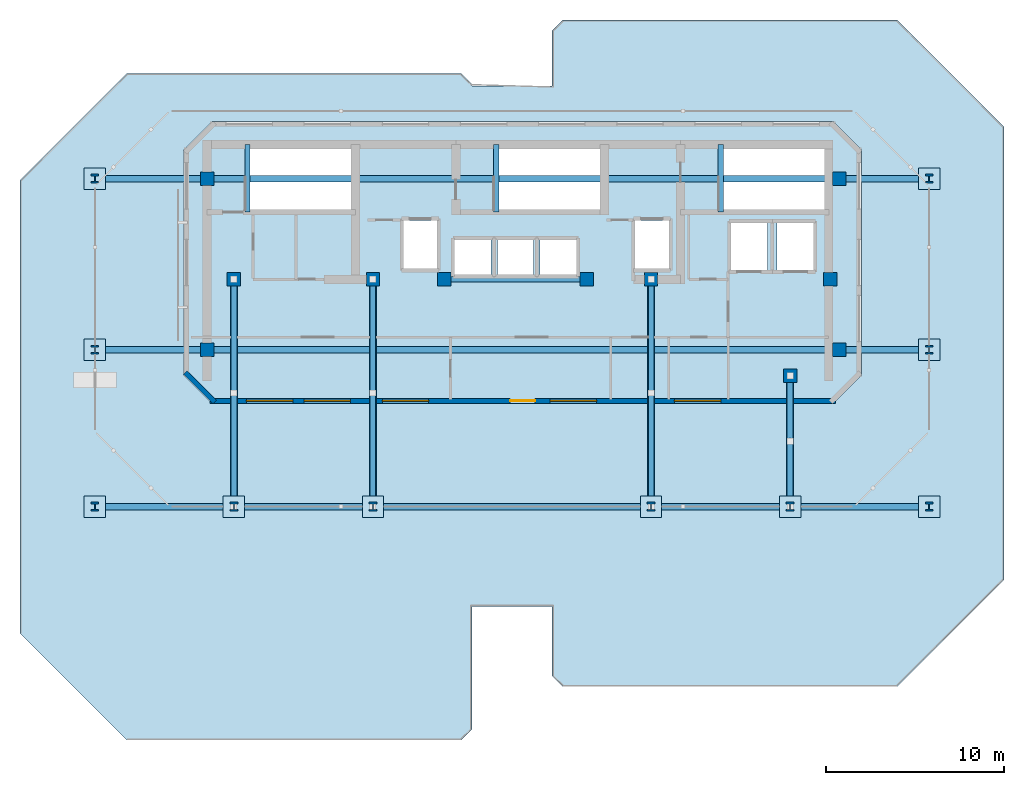
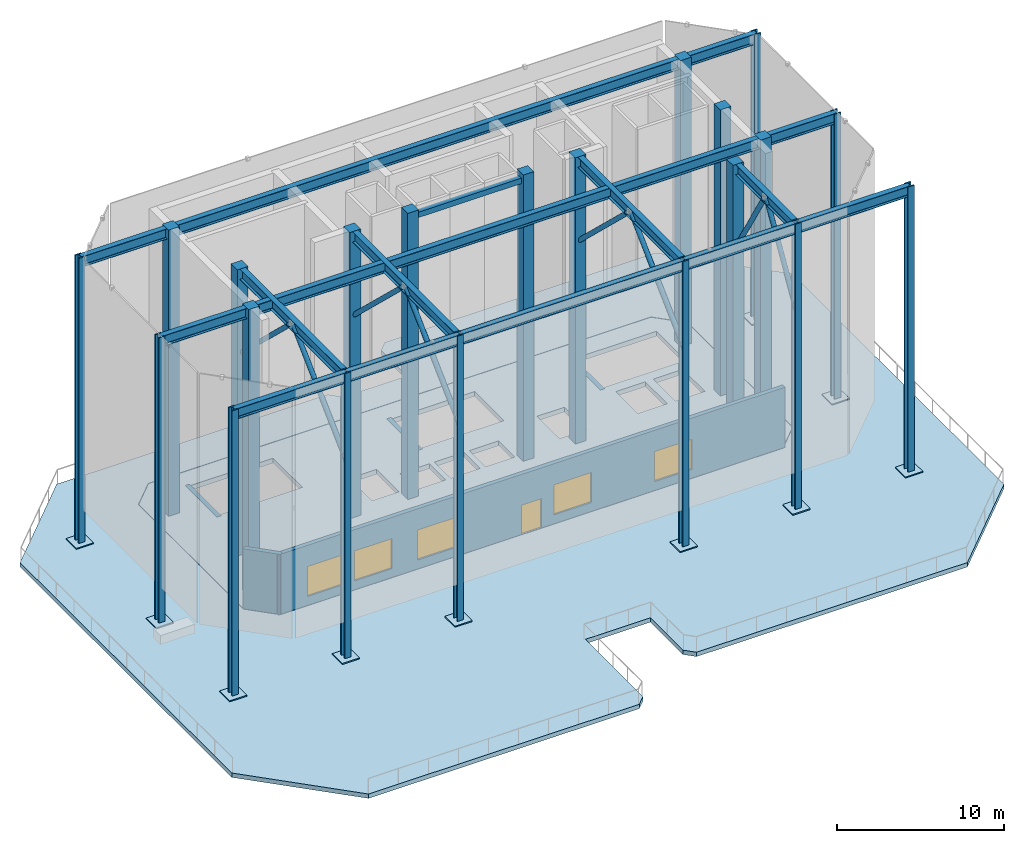
# One storey, part 1 of 5: 21 columns, 15 beams, 10 plates, 8 members, 5 windows, 2 slabs, 2 walls, 1 door, 6 openings.
"""IFC4 building model written with IfcOpenShell, lengths in metres."""

from ifc_helpers import new_model, si_unit, direction, frame, frame_2d, origin, origin_2d, place, context, subcontext, project, spatial, polyline, rectangle, hollow_circle, i_section, outline, extrude, material, layer, layer_set, material_profile, profile_set, type_object, element, fill, save


model = new_model("IFC4")

# Units and contexts
model_context = context("Model", 3, precision=1e-05, world=origin(), true_north=direction((0.0, 1.0)))
body_context = subcontext(model_context, "Body", "Model", "MODEL_VIEW")
ifc_project = project(units=[si_unit("LENGTHUNIT", "METRE"), si_unit("AREAUNIT", "SQUARE_METRE"), si_unit("VOLUMEUNIT", "CUBIC_METRE"), si_unit("PLANEANGLEUNIT", "RADIAN"), si_unit("MASSUNIT", "GRAM", prefix="KILO")], contexts=[model_context])

# Site, building, storey
site_placement = place(None, origin())
site = spatial("IfcSite", under=ifc_project, at=site_placement, CompositionType="ELEMENT")
building_placement = place(site_placement, origin())
building = spatial("IfcBuilding", under=site, at=building_placement, Name="Kestravale Grand Hotel", CompositionType="ELEMENT")
storey_placement = place(building_placement, frame((0.0, 0.0, 311.39990234375)))
storey = spatial("IfcBuildingStorey", under=building, at=storey_placement, Name="Roof", CompositionType="ELEMENT", Elevation=311.39990234375)

# Columns
ifc_material_1 = material(Name="Concrete f'c 50 MPa", Category="concrete")
ifc_material_profile_1 = material_profile(ifc_material_1, rectangle(XDim=0.75, YDim=0.75, at=origin_2d()))
ifc_profile_set_1 = profile_set([ifc_material_profile_1], Name="Concrete f'c 50 MPa")
column_type_1 = type_object("IfcColumnType", Name="C-Z4-750", PredefinedType="COLUMN", material=ifc_profile_set_1)
for number, where, z_axis, x_axis, name in (
    (1, (21.89990234375, 28.800048828125, 0.0), (0.0, 0.0, 1.0), (1.0, 0.0, 0.0), "Roof column CW-E"),
    (2, (21.89990234375, 38.39990234375, 0.0), (0.0, 0.0, 1.0), (1.0, 0.0, 0.0), "Roof column CW-F"),
    (3, (57.35009765625, 28.800048828125, 0.0), (0.0, 0.0, 1.0), (1.0, 0.0, 0.0), "Roof column CE-E"),
    (4, (57.35009765625, 38.39990234375, 0.0), (0.0, 0.0, 1.0), (1.0, 0.0, 0.0), "Roof column CE-F"),
    (5, (23.39990234375, 32.75, 0.0), (0.0, 0.0, 1.0), (1.0, 0.0, 0.0), "Roof column 4-CS"),
    (6, (31.199951171875, 32.75, 0.0), (0.0, 0.0, 1.0), (1.0, 0.0, 0.0), "Roof column 5-CS"),
    (7, (35.199951171875, 32.75, 0.0), (0.0, 0.0, 1.0), (1.0, 0.0, 0.0), "Roof column 6C-CS"),
    (8, (43.199951171875, 32.75, 0.0), (0.0, 0.0, 1.0), (1.0, 0.0, 0.0), "Roof column 7C-CS"),
    (9, (46.800048828125, 32.75, 0.0), (0.0, 0.0, 1.0), (1.0, 0.0, 0.0), "Roof column 8-CS"),
    (10, (54.60009765625, 27.35009765625, 0.0), (0.0, 0.0, 1.0), (1.0, 0.0, 0.0), "Roof column 9-CS"),
    (11, (56.85009765625, 32.75, 0.0), (0.0, 0.0, 1.0), (1.0, 0.0, 0.0), "Roof column 9C-CS"),
):
    element("IfcColumn", number, at=place(storey_placement, frame(where, z_axis=z_axis, x_axis=x_axis)), inside=storey, type_object=column_type_1, Name=name, PredefinedType="COLUMN", context=body_context, shape_type="SweptSolid", body=[
        extrude(rectangle(XDim=0.75, YDim=0.75, at=origin_2d()), origin(), (0.0, 0.0, 1.0), 20.9501953125),
    ])
ifc_material_2 = material(Name="Steel ASTM A992 Grade 50", Category="steel")
ifc_material_profile_2 = material_profile(ifc_material_2, i_section(OverallWidth=0.431884765625, OverallDepth=0.498046875, WebThickness=0.0556640625, FlangeThickness=0.0888671875, FilletRadius=0.01708984375, at=origin_2d()))
ifc_profile_set_2 = profile_set([ifc_material_profile_2], Name="Steel ASTM A992 Grade 50")
column_type_2 = type_object("IfcColumnType", Name="C-Z4-W14X500", PredefinedType="COLUMN", material=ifc_profile_set_2)
for number, where, z_axis, x_axis, name in (
    (12, (15.60009765625, 20.0, 0.0), (0.0, 0.0, 1.0), (1.0, 0.0, 0.0), "Crown sky-garden canopy column 3-D"),
    (13, (23.39990234375, 20.0, 0.0), (0.0, 0.0, 1.0), (1.0, 0.0, 0.0), "Crown sky-garden canopy column 4-D"),
    (14, (31.199951171875, 20.0, 0.0), (0.0, 0.0, 1.0), (1.0, 0.0, 0.0), "Crown sky-garden canopy column 5-D"),
    (15, (46.800048828125, 20.0, 0.0), (0.0, 0.0, 1.0), (1.0, 0.0, 0.0), "Crown sky-garden canopy column 8-D"),
    (16, (54.60009765625, 20.0, 0.0), (0.0, 0.0, 1.0), (1.0, 0.0, 0.0), "Crown sky-garden canopy column 9-D"),
    (17, (62.39990234375, 20.0, 0.0), (0.0, 0.0, 1.0), (1.0, 0.0, 0.0), "Crown sky-garden canopy column 10-D"),
    (18, (15.60009765625, 28.800048828125, 0.0), (0.0, 0.0, 1.0), (1.0, 0.0, 0.0), "Crown sky-garden canopy column 3-E"),
    (19, (62.39990234375, 28.800048828125, 0.0), (0.0, 0.0, 1.0), (1.0, 0.0, 0.0), "Crown sky-garden canopy column 10-E"),
    (20, (15.60009765625, 38.39990234375, 0.0), (0.0, 0.0, 1.0), (1.0, 0.0, 0.0), "Crown sky-garden canopy column 3-F"),
    (21, (62.39990234375, 38.39990234375, 0.0), (0.0, 0.0, 1.0), (1.0, 0.0, 0.0), "Crown sky-garden canopy column 10-F"),
):
    element("IfcColumn", number, at=place(storey_placement, frame(where, z_axis=z_axis, x_axis=x_axis)), inside=storey, type_object=column_type_2, Name=name, PredefinedType="COLUMN", context=body_context, shape_type="SweptSolid", body=[
        extrude(i_section(OverallWidth=0.431884765625, OverallDepth=0.498046875, WebThickness=0.0556640625, FlangeThickness=0.0888671875, FilletRadius=0.01708984375, at=origin_2d()), origin(), (0.0, 0.0, 1.0), 20.9501953125),
    ])

# Beams
ifc_material_3 = material(Name="Concrete f'c 45 MPa", Category="concrete")
ifc_material_profile_3 = material_profile(ifc_material_3, rectangle(XDim=0.300048828125, YDim=0.39990234375, at=origin_2d()))
ifc_profile_set_3 = profile_set([ifc_material_profile_3], Name="Concrete f'c 45 MPa")
beam_type_1 = type_object("IfcBeamType", Name="B-FLR-LNT400", PredefinedType="LINTEL", material=ifc_profile_set_3)
beam_1_placement = place(storey_placement, frame((35.199951171875, 32.75, 20.400146484375), z_axis=(1.0, 0.0, 0.0), x_axis=(0.0, 1.0, 0.0)))
element("IfcBeam", 22, at=beam_1_placement, inside=storey, type_object=beam_type_1, Name="Roof core portal header lintel", PredefinedType="LINTEL", context=body_context, shape_type="SweptSolid", body=[
    extrude(rectangle(XDim=0.300048828125, YDim=0.39990234375, at=origin_2d()), origin(), (0.0, 0.0, 1.0), 8.0),
])
for number, where, z_axis, x_axis, name in (
    (23, (24.159912109375, 36.52001953125, -0.199951171875), (0.0, 1.0, 0.0), (-1.0, 0.0, 0.0), "Roof ST1 flight bottom header beam"),
    (24, (38.110107421875, 36.52001953125, -0.199951171875), (0.0, 1.0, 0.0), (-1.0, 0.0, 0.0), "Roof ST2 flight bottom header beam"),
    (25, (50.7099609375, 36.52001953125, -0.199951171875), (0.0, 1.0, 0.0), (-1.0, 0.0, 0.0), "Roof ST3 flight bottom header beam"),
):
    element("IfcBeam", number, at=place(storey_placement, frame(where, z_axis=z_axis, x_axis=x_axis)), inside=storey, type_object=beam_type_1, Name=name, PredefinedType="LINTEL", context=body_context, shape_type="SweptSolid", body=[
        extrude(rectangle(XDim=0.300048828125, YDim=0.39990234375, at=origin_2d()), origin(), (0.0, 0.0, 1.0), 3.800048828125),
    ])
ifc_material_4 = material(Name="Steel ASTM A992 Grade 50", Category="steel")
ifc_material_profile_4 = material_profile(ifc_material_4, i_section(OverallWidth=0.381103515625, OverallDepth=0.77197265625, WebThickness=0.0166015625, FlangeThickness=0.027099609375, FilletRadius=0.023681640625, at=origin_2d()))
ifc_profile_set_4 = profile_set([ifc_material_profile_4], Name="Steel ASTM A992 Grade 50")
beam_type_2 = type_object("IfcBeamType", Name="B-GRD-W30", PredefinedType="BEAM", material=ifc_profile_set_4)
beam_2_placement = place(storey_placement, frame((15.60009765625, 20.0, 20.564208984375), z_axis=(1.0, 0.0, 0.0), x_axis=(0.0, 1.0, 0.0)))
element("IfcBeam", 26, at=beam_2_placement, inside=storey, type_object=beam_type_2, Name="Crown canopy ring girder D:3-4", PredefinedType="BEAM", context=body_context, shape_type="SweptSolid", body=[
    extrude(i_section(OverallWidth=0.381103515625, OverallDepth=0.77197265625, WebThickness=0.0166015625, FlangeThickness=0.027099609375, FilletRadius=0.023681640625, at=origin_2d()), origin(), (0.0, 0.0, 1.0), 7.7998046875),
])
beam_3_placement = place(storey_placement, frame((23.39990234375, 20.0, 20.564208984375), z_axis=(1.0, 0.0, 0.0), x_axis=(0.0, 1.0, 0.0)))
element("IfcBeam", 27, at=beam_3_placement, inside=storey, type_object=beam_type_2, Name="Crown canopy ring girder D:4-5", PredefinedType="BEAM", context=body_context, shape_type="SweptSolid", body=[
    extrude(i_section(OverallWidth=0.381103515625, OverallDepth=0.77197265625, WebThickness=0.0166015625, FlangeThickness=0.027099609375, FilletRadius=0.023681640625, at=origin_2d()), origin(), (0.0, 0.0, 1.0), 7.800048828125),
])
beam_4_placement = place(storey_placement, frame((31.199951171875, 20.0, 20.564208984375), z_axis=(1.0, 0.0, 0.0), x_axis=(0.0, 1.0, 0.0)))
element("IfcBeam", 28, at=beam_4_placement, inside=storey, type_object=beam_type_2, Name="Crown canopy ring girder D:5-8", PredefinedType="BEAM", context=body_context, shape_type="SweptSolid", body=[
    extrude(i_section(OverallWidth=0.381103515625, OverallDepth=0.77197265625, WebThickness=0.0166015625, FlangeThickness=0.027099609375, FilletRadius=0.023681640625, at=origin_2d()), origin(), (0.0, 0.0, 1.0), 15.60009765625),
])
beam_5_placement = place(storey_placement, frame((46.800048828125, 20.0, 20.564208984375), z_axis=(1.0, 0.0, 0.0), x_axis=(0.0, 1.0, 0.0)))
element("IfcBeam", 29, at=beam_5_placement, inside=storey, type_object=beam_type_2, Name="Crown canopy ring girder D:8-9", PredefinedType="BEAM", context=body_context, shape_type="SweptSolid", body=[
    extrude(i_section(OverallWidth=0.381103515625, OverallDepth=0.77197265625, WebThickness=0.0166015625, FlangeThickness=0.027099609375, FilletRadius=0.023681640625, at=origin_2d()), origin(), (0.0, 0.0, 1.0), 7.800048828125),
])
beam_6_placement = place(storey_placement, frame((54.60009765625, 20.0, 20.564208984375), z_axis=(1.0, 0.0, 0.0), x_axis=(0.0, 1.0, 0.0)))
element("IfcBeam", 30, at=beam_6_placement, inside=storey, type_object=beam_type_2, Name="Crown canopy ring girder D:9-10", PredefinedType="BEAM", context=body_context, shape_type="SweptSolid", body=[
    extrude(i_section(OverallWidth=0.381103515625, OverallDepth=0.77197265625, WebThickness=0.0166015625, FlangeThickness=0.027099609375, FilletRadius=0.023681640625, at=origin_2d()), origin(), (0.0, 0.0, 1.0), 7.7998046875),
])
for number, where, z_axis, x_axis, name in (
    (31, (15.60009765625, 28.800048828125, 20.564208984375), (1.0, 0.0, 0.0), (0.0, 1.0, 0.0), "Crown canopy ring girder E:3-10"),
    (32, (15.60009765625, 38.39990234375, 20.564208984375), (1.0, 0.0, 0.0), (0.0, 1.0, 0.0), "Crown canopy ring girder F:3-10"),
):
    element("IfcBeam", number, at=place(storey_placement, frame(where, z_axis=z_axis, x_axis=x_axis)), inside=storey, type_object=beam_type_2, Name=name, PredefinedType="BEAM", context=body_context, shape_type="SweptSolid", body=[
        extrude(i_section(OverallWidth=0.381103515625, OverallDepth=0.77197265625, WebThickness=0.0166015625, FlangeThickness=0.027099609375, FilletRadius=0.023681640625, at=origin_2d()), origin(), (0.0, 0.0, 1.0), 46.7998046875),
    ])
for number, where, z_axis, x_axis, name in (
    (33, (23.39990234375, 20.0, 20.564208984375), (0.0, 1.0, 0.0), (-1.0, 0.0, 0.0), "Crown canopy cross girder 4"),
    (34, (31.199951171875, 20.0, 20.564208984375), (0.0, 1.0, 0.0), (-1.0, 0.0, 0.0), "Crown canopy cross girder 5"),
    (35, (46.800048828125, 20.0, 20.564208984375), (0.0, 1.0, 0.0), (-1.0, 0.0, 0.0), "Crown canopy cross girder 8"),
):
    element("IfcBeam", number, at=place(storey_placement, frame(where, z_axis=z_axis, x_axis=x_axis)), inside=storey, type_object=beam_type_2, Name=name, PredefinedType="BEAM", context=body_context, shape_type="SweptSolid", body=[
        extrude(i_section(OverallWidth=0.381103515625, OverallDepth=0.77197265625, WebThickness=0.0166015625, FlangeThickness=0.027099609375, FilletRadius=0.023681640625, at=origin_2d()), origin(), (0.0, 0.0, 1.0), 12.75),
    ])
beam_7_placement = place(storey_placement, frame((54.60009765625, 20.0, 20.564208984375), z_axis=(0.0, 1.0, 0.0), x_axis=(-1.0, 0.0, 0.0)))
element("IfcBeam", 36, at=beam_7_placement, inside=storey, type_object=beam_type_2, Name="Crown canopy cross girder 9", PredefinedType="BEAM", context=body_context, shape_type="SweptSolid", body=[
    extrude(i_section(OverallWidth=0.381103515625, OverallDepth=0.77197265625, WebThickness=0.0166015625, FlangeThickness=0.027099609375, FilletRadius=0.023681640625, at=origin_2d()), origin(), (0.0, 0.0, 1.0), 7.35009765625),
])

# Members
ifc_material_5 = material(Name="Steel ASTM A500 Grade C", Category="steel")
ifc_material_profile_5 = material_profile(ifc_material_5, hollow_circle(Radius=0.161865234375, WallThickness=0.0126953125, at=origin_2d()))
ifc_profile_set_5 = profile_set([ifc_material_profile_5], Name="Steel ASTM A500 Grade C")
member_type = type_object("IfcMemberType", Name="M-BLT-STR324", PredefinedType="STRUT", material=ifc_profile_set_5)
for number, where, z_axis, x_axis, name in (
    (37, (23.39990234375, 32.75, 14.5), (0.0, -0.723198977851, 0.690639731289), (1.0, 0.0, 0.0), "Crown canopy north V-strut 4"),
    (38, (23.39990234375, 20.0, 14.5), (0.0, 0.723198977851, 0.690639731289), (-1.0, 0.0, 0.0), "Crown canopy south V-strut 4"),
    (39, (31.199951171875, 32.75, 14.5), (0.0, -0.723198977851, 0.690639731289), (1.0, 0.0, 0.0), "Crown canopy north V-strut 5"),
    (40, (31.199951171875, 20.0, 14.5), (0.0, 0.723198977851, 0.690639731289), (-1.0, 0.0, 0.0), "Crown canopy south V-strut 5"),
    (41, (46.800048828125, 32.75, 14.5), (0.0, -0.723198977851, 0.690639731289), (1.0, 0.0, 0.0), "Crown canopy north V-strut 8"),
    (42, (46.800048828125, 20.0, 14.5), (0.0, 0.723198977851, 0.690639731289), (-1.0, 0.0, 0.0), "Crown canopy south V-strut 8"),
):
    element("IfcMember", number, at=place(storey_placement, frame(where, z_axis=z_axis, x_axis=x_axis)), inside=storey, type_object=member_type, Name=name, PredefinedType="STRUT", context=body_context, shape_type="SweptSolid", body=[
        extrude(hollow_circle(Radius=0.161865234375, WallThickness=0.0126953125, at=origin_2d()), origin(), (0.0, 0.0, 1.0), 8.780517578125),
    ])
member_1_placement = place(storey_placement, frame((54.60009765625, 27.35009765625, 14.5), z_axis=(0.0, -0.515702495031, 0.856767726177), x_axis=(1.0, 0.0, 0.0)))
element("IfcMember", 43, at=member_1_placement, inside=storey, type_object=member_type, Name="Crown canopy north V-strut 9", PredefinedType="STRUT", context=body_context, shape_type="SweptSolid", body=[
    extrude(hollow_circle(Radius=0.161865234375, WallThickness=0.0126953125, at=origin_2d()), origin(), (0.0, 0.0, 1.0), 7.078125),
])
member_2_placement = place(storey_placement, frame((54.60009765625, 20.0, 14.5), z_axis=(0.0, 0.515677174852, 0.856782966297), x_axis=(-1.0, 0.0, 0.0)))
element("IfcMember", 44, at=member_2_placement, inside=storey, type_object=member_type, Name="Crown canopy south V-strut 9", PredefinedType="STRUT", context=body_context, shape_type="SweptSolid", body=[
    extrude(hollow_circle(Radius=0.161865234375, WallThickness=0.0126953125, at=origin_2d()), origin(), (0.0, 0.0, 1.0), 7.077880859375),
])

# Slab
ifc_material_6 = material(Name="Concrete f'c 45 MPa", Category="concrete")
ifc_layer_1 = layer(ifc_material_6, 0.320068359375)
ifc_layer_set_1 = layer_set([ifc_layer_1], Name="ES-SKYG-320")
slab_type_1 = type_object("IfcSlabType", Name="ES-SKYG-320", PredefinedType="FLOOR", material=ifc_layer_set_1)
slab_1_placement = place(storey_placement, frame((0.0, 0.0, -0.31982421875)))
element("IfcSlab", 45, at=slab_1_placement, inside=storey, type_object=slab_type_1, Name="rooftop sky garden terrace 1", PredefinedType="FLOOR", context=body_context, shape_type="SweptSolid", body=[
    extrude(outline(polyline([(11.39990234375, 12.89990234375), (11.39990234375, 38.300048828125), (17.39990234375, 44.300048828125), (36.14990234375, 44.300048828125), (36.75, 43.699951171875), (36.75, 43.60009765625), (41.25, 43.60009765625), (41.25, 46.699951171875), (41.85009765625, 47.300048828125), (60.60009765625, 47.300048828125), (66.60009765625, 41.300048828125), (66.60009765625, 15.89990234375), (60.60009765625, 9.89990234375), (41.85009765625, 9.89990234375), (41.25, 10.5), (41.25, 14.39990234375), (36.75, 14.39990234375), (36.75, 7.5), (36.14990234375, 6.89990234375), (17.39990234375, 6.89990234375), (11.39990234375, 12.89990234375)]), holes=[polyline([(22.187255859375, 25.784423828125), (22.18896484375, 25.783447265625), (22.190673828125, 25.782470703125), (22.1923828125, 25.781494140625), (22.194091796875, 25.781005859375), (22.196044921875, 25.780517578125), (22.197998046875, 25.780029296875), (22.199951171875, 25.780029296875), (57.0, 25.780029296875), (57.001953125, 25.780029296875), (57.00390625, 25.780517578125), (57.005859375, 25.781005859375), (57.0078125, 25.781494140625), (57.009521484375, 25.782470703125), (57.010986328125, 25.783447265625), (57.0126953125, 25.784423828125), (57.01416015625, 25.785888671875), (58.614013671875, 27.385986328125), (58.615478515625, 27.38720703125), (58.61669921875, 27.388916015625), (58.61767578125, 27.390625), (58.618408203125, 27.392333984375), (58.619140625, 27.394287109375), (58.61962890625, 27.39599609375), (58.619873046875, 27.39794921875), (58.6201171875, 27.39990234375), (58.6201171875, 40.0), (58.619873046875, 40.001953125), (58.61962890625, 40.00390625), (58.619140625, 40.005859375), (58.618408203125, 40.0078125), (58.61767578125, 40.009521484375), (58.61669921875, 40.010986328125), (58.615478515625, 40.0126953125), (58.614013671875, 40.01416015625), (57.01416015625, 41.614013671875), (57.0126953125, 41.615478515625), (57.010986328125, 41.61669921875), (57.009521484375, 41.61767578125), (57.0078125, 41.618408203125), (57.005859375, 41.619140625), (57.00390625, 41.61962890625), (57.001953125, 41.619873046875), (57.0, 41.6201171875), (22.199951171875, 41.6201171875), (22.197998046875, 41.619873046875), (22.196044921875, 41.61962890625), (22.194091796875, 41.619140625), (22.1923828125, 41.618408203125), (22.190673828125, 41.61767578125), (22.18896484375, 41.61669921875), (22.187255859375, 41.615478515625), (22.185791015625, 41.614013671875), (20.5859375, 40.01416015625), (20.58447265625, 40.0126953125), (20.58349609375, 40.010986328125), (20.58251953125, 40.009521484375), (20.58154296875, 40.0078125), (20.580810546875, 40.005859375), (20.580322265625, 40.00390625), (20.580078125, 40.001953125), (20.580078125, 40.0), (20.580078125, 27.39990234375), (20.580078125, 27.39794921875), (20.580322265625, 27.39599609375), (20.580810546875, 27.394287109375), (20.58154296875, 27.392333984375), (20.58251953125, 27.390625), (20.58349609375, 27.388916015625), (20.58447265625, 27.38720703125), (20.5859375, 27.385986328125), (22.185791015625, 25.785888671875), (22.187255859375, 25.784423828125)])]), origin(), (0.0, 0.0, 1.0), 0.31982421875),
])

# Plates
ifc_material_7 = material(Name="Steel ASTM A572 Grade 50", Category="steel")
ifc_layer_2 = layer(ifc_material_7, 0.080078125)
ifc_layer_set_2 = layer_set([ifc_layer_2], Name="PL-BAS-80")
plate_type = type_object("IfcPlateType", Name="PL-BAS-80", PredefinedType="USERDEFINED", material=ifc_layer_set_2)
for number, where, z_axis, x_axis, name in (
    (46, (15.60009765625, 20.0, 0.0), (0.0, 0.0, 1.0), (1.0, 0.0, 0.0), "Crown column base plate 3-D"),
    (47, (23.39990234375, 20.0, 0.0), (0.0, 0.0, 1.0), (1.0, 0.0, 0.0), "Crown column base plate 4-D"),
    (48, (31.199951171875, 20.0, 0.0), (0.0, 0.0, 1.0), (1.0, 0.0, 0.0), "Crown column base plate 5-D"),
    (49, (46.800048828125, 20.0, 0.0), (0.0, 0.0, 1.0), (1.0, 0.0, 0.0), "Crown column base plate 8-D"),
    (50, (54.60009765625, 20.0, 0.0), (0.0, 0.0, 1.0), (1.0, 0.0, 0.0), "Crown column base plate 9-D"),
    (51, (62.39990234375, 20.0, 0.0), (0.0, 0.0, 1.0), (1.0, 0.0, 0.0), "Crown column base plate 10-D"),
    (52, (15.60009765625, 28.800048828125, 0.0), (0.0, 0.0, 1.0), (1.0, 0.0, 0.0), "Crown column base plate 3-E"),
    (53, (62.39990234375, 28.800048828125, 0.0), (0.0, 0.0, 1.0), (1.0, 0.0, 0.0), "Crown column base plate 10-E"),
    (54, (15.60009765625, 38.39990234375, 0.0), (0.0, 0.0, 1.0), (1.0, 0.0, 0.0), "Crown column base plate 3-F"),
    (55, (62.39990234375, 38.39990234375, 0.0), (0.0, 0.0, 1.0), (1.0, 0.0, 0.0), "Crown column base plate 10-F"),
):
    element("IfcPlate", number, at=place(storey_placement, frame(where, z_axis=z_axis, x_axis=x_axis)), inside=storey, type_object=plate_type, Name=name, ObjectType="BASE PLATE", PredefinedType="USERDEFINED", context=body_context, shape_type="SweptSolid", body=[
        extrude(rectangle(XDim=1.199951171875, YDim=1.199951171875, at=origin_2d()), origin(), (0.0, 0.0, 1.0), 0.080078125),
    ])

# Slab
ifc_material_8 = material(Name="Concrete f'c 45 MPa", Category="concrete")
ifc_layer_3 = layer(ifc_material_8, 0.35009765625)
ifc_layer_set_3 = layer_set([ifc_layer_3], Name="SS-POD-350")
slab_type_2 = type_object("IfcSlabType", Name="SS-POD-350", PredefinedType="FLOOR", material=ifc_layer_set_3)
slab_2_placement = place(storey_placement, frame((0.0, 0.0, -0.349853515625)))
element("IfcSlab", 56, at=slab_2_placement, inside=storey, type_object=slab_type_2, Name="Roof structural floor slab", PredefinedType="FLOOR", context=body_context, shape_type="SweptSolid", body=[
    extrude(outline(polyline([(22.199951171875, 25.800048828125), (57.0, 25.800048828125), (58.60009765625, 27.39990234375), (58.60009765625, 40.0), (57.0, 41.60009765625), (22.199951171875, 41.60009765625), (20.60009765625, 40.0), (20.60009765625, 27.39990234375), (22.199951171875, 25.800048828125)]), holes=[polyline([(24.080078125, 36.64990234375), (30.0, 36.64990234375), (30.0, 40.159912109375), (24.080078125, 40.159912109375), (24.080078125, 36.64990234375)]), polyline([(38.030029296875, 36.64990234375), (43.949951171875, 36.64990234375), (43.949951171875, 40.159912109375), (38.030029296875, 40.159912109375), (38.030029296875, 36.64990234375)]), polyline([(50.6298828125, 36.64990234375), (56.550048828125, 36.64990234375), (56.550048828125, 40.159912109375), (50.6298828125, 40.159912109375), (50.6298828125, 36.64990234375)]), polyline([(35.780029296875, 33.030029296875), (37.820068359375, 33.030029296875), (37.820068359375, 34.969970703125), (35.780029296875, 34.969970703125), (35.780029296875, 33.030029296875)]), polyline([(38.179931640625, 33.030029296875), (40.219970703125, 33.030029296875), (40.219970703125, 34.969970703125), (38.179931640625, 34.969970703125), (38.179931640625, 33.030029296875)]), polyline([(40.580078125, 33.030029296875), (42.6201171875, 33.030029296875), (42.6201171875, 34.969970703125), (40.580078125, 34.969970703125), (40.580078125, 33.030029296875)]), polyline([(32.905029296875, 33.35498046875), (34.794921875, 33.35498046875), (34.794921875, 36.044921875), (32.905029296875, 36.044921875), (32.905029296875, 33.35498046875)]), polyline([(45.905029296875, 33.35498046875), (47.794921875, 33.35498046875), (47.794921875, 36.044921875), (45.905029296875, 36.044921875), (45.905029296875, 33.35498046875)]), polyline([(51.280029296875, 33.280029296875), (53.320068359375, 33.280029296875), (53.320068359375, 35.919921875), (51.280029296875, 35.919921875), (51.280029296875, 33.280029296875)]), polyline([(53.8798828125, 33.280029296875), (55.919921875, 33.280029296875), (55.919921875, 35.919921875), (53.8798828125, 35.919921875), (53.8798828125, 33.280029296875)])]), origin(), (0.0, 0.0, 1.0), 0.349853515625),
])

# Wall, openings, door, windows
ifc_material_9 = material(Name="Precast concrete f'c 45 MPa", Category="concrete")
ifc_layer_4 = layer(ifc_material_9, 0.280029296875)
ifc_layer_set_4 = layer_set([ifc_layer_4], Name="EW-PREC-280")
wall_type = type_object("IfcWallType", Name="EW-PREC-280", PredefinedType="SOLIDWALL", material=ifc_layer_set_4)
wall_1_placement = place(storey_placement, frame((22.06005859375, 25.93994140625, 0.0), z_axis=(0.0, 0.0, 1.0), x_axis=(1.0, 0.0, 0.0)))
wall_1 = element("IfcWall", 57, at=wall_1_placement, inside=storey, type_object=wall_type, Name="Roof fluted precast facade wall 1", PredefinedType="SOLIDWALL", context=body_context, shape_type="SweptSolid", body=[
    extrude(rectangle(XDim=35.079833984375, YDim=0.280029296875, at=frame_2d((17.5400390625, 0.0))), origin(), (0.0, 0.0, 1.0), 4.400146484375),
])
opening_1_placement = place(wall_1_placement, frame((16.840087890625, 0.0, 0.0)))
opening_1 = element("IfcOpeningElement", 58, at=opening_1_placement, cuts=wall_1, Name="Opening D-TERR-1400", PredefinedType="OPENING", context=body_context, shape_type="SweptSolid", body=[
    extrude(rectangle(XDim=1.39990234375, YDim=2.14990234375, at=frame_2d((0.699951171875, 1.074951171875))), frame((0.0, 0.14990234375, 0.0), z_axis=(0.0, -1.0, 0.0), x_axis=(1.0, 0.0, 0.0)), (0.0, 0.0, 1.0), 0.300048828125),
])
opening_2_placement = place(wall_1_placement, frame((2.04248046875, 0.0, 0.64990234375)))
opening_2 = element("IfcOpeningElement", 59, at=opening_2_placement, cuts=wall_1, Name="Opening W-SKY-2600", PredefinedType="OPENING", context=body_context, shape_type="SweptSolid", body=[
    extrude(rectangle(XDim=2.60009765625, YDim=2.199951171875, at=frame_2d((1.300048828125, 1.10009765625))), frame((0.0, 0.14990234375, 0.0), z_axis=(0.0, -1.0, 0.0), x_axis=(1.0, 0.0, 0.0)), (0.0, 0.0, 1.0), 0.300048828125),
])
opening_3_placement = place(wall_1_placement, frame((5.277587890625, 0.0, 0.64990234375)))
opening_3 = element("IfcOpeningElement", 60, at=opening_3_placement, cuts=wall_1, Name="Opening W-SKY-2600", PredefinedType="OPENING", context=body_context, shape_type="SweptSolid", body=[
    extrude(rectangle(XDim=2.60009765625, YDim=2.199951171875, at=frame_2d((1.300048828125, 1.10009765625))), frame((0.0, 0.14990234375, 0.0), z_axis=(0.0, -1.0, 0.0), x_axis=(1.0, 0.0, 0.0)), (0.0, 0.0, 1.0), 0.300048828125),
])
opening_4_placement = place(wall_1_placement, frame((9.66259765625, 0.0, 0.64990234375)))
opening_4 = element("IfcOpeningElement", 61, at=opening_4_placement, cuts=wall_1, Name="Opening W-SKY-2600", PredefinedType="OPENING", context=body_context, shape_type="SweptSolid", body=[
    extrude(rectangle(XDim=2.60009765625, YDim=2.199951171875, at=frame_2d((1.300048828125, 1.10009765625))), frame((0.0, 0.14990234375, 0.0), z_axis=(0.0, -1.0, 0.0), x_axis=(1.0, 0.0, 0.0)), (0.0, 0.0, 1.0), 0.300048828125),
])
opening_5_placement = place(wall_1_placement, frame((19.08251953125, 0.0, 0.64990234375)))
opening_5 = element("IfcOpeningElement", 62, at=opening_5_placement, cuts=wall_1, Name="Opening W-SKY-2600", PredefinedType="OPENING", context=body_context, shape_type="SweptSolid", body=[
    extrude(rectangle(XDim=2.60009765625, YDim=2.199951171875, at=frame_2d((1.300048828125, 1.10009765625))), frame((0.0, 0.14990234375, 0.0), z_axis=(0.0, -1.0, 0.0), x_axis=(1.0, 0.0, 0.0)), (0.0, 0.0, 1.0), 0.300048828125),
])
opening_6_placement = place(wall_1_placement, frame((26.052490234375, 0.0, 0.64990234375)))
opening_6 = element("IfcOpeningElement", 63, at=opening_6_placement, cuts=wall_1, Name="Opening W-SKY-2600", PredefinedType="OPENING", context=body_context, shape_type="SweptSolid", body=[
    extrude(rectangle(XDim=2.60009765625, YDim=2.199951171875, at=frame_2d((1.300048828125, 1.10009765625))), frame((0.0, 0.14990234375, 0.0), z_axis=(0.0, -1.0, 0.0), x_axis=(1.0, 0.0, 0.0)), (0.0, 0.0, 1.0), 0.300048828125),
])
ifc_material_10 = material(Name="Insulated glazed champagne-bronze aluminium door", Category="aluminium")
door_type = type_object("IfcDoorType", Name="D-TERR-1400", OperationType="NOTDEFINED", PredefinedType="DOOR", material=ifc_material_10)
door_placement = place(opening_1_placement, origin())
door = element("IfcDoor", 64, at=door_placement, inside=storey, type_object=door_type, Name="Roof outdoor garden terrace door", OperationType="DOUBLE_DOOR_SINGLE_SWING", OverallHeight=2.14990234375, OverallWidth=1.39990234375, PredefinedType="DOOR", context=body_context, shape_type="SweptSolid", body=[
    extrude(rectangle(XDim=1.39990234375, YDim=2.14990234375, at=frame_2d((0.699951171875, 1.074951171875))), frame((0.0, 0.02490234375, 0.0), z_axis=(0.0, -1.0, 0.0), x_axis=(1.0, 0.0, 0.0)), (0.0, 0.0, 1.0), 0.050048828125),
])
fill(opening_1, door)
ifc_material_11 = material(Name="Insulated low-E double glazing in aluminium frame", Category="aluminium")
window_type = type_object("IfcWindowType", Name="W-SKY-2600", PartitioningType="TRIPLE_PANEL_VERTICAL", PredefinedType="WINDOW", material=ifc_material_11)
window_1_placement = place(opening_2_placement, origin())
window_1 = element("IfcWindow", 65, at=window_1_placement, inside=storey, type_object=window_type, Name="Roof exterior window 1.1", OverallHeight=2.199951171875, OverallWidth=2.60009765625, PartitioningType="SINGLE_PANEL", PredefinedType="WINDOW", context=body_context, shape_type="SweptSolid", body=[
    extrude(rectangle(XDim=2.60009765625, YDim=2.199951171875, at=frame_2d((1.300048828125, 1.10009765625))), frame((0.0, 0.030029296875, 0.0), z_axis=(0.0, -1.0, 0.0), x_axis=(1.0, 0.0, 0.0)), (0.0, 0.0, 1.0), 0.06005859375),
])
fill(opening_2, window_1)
window_2_placement = place(opening_3_placement, origin())
window_2 = element("IfcWindow", 66, at=window_2_placement, inside=storey, type_object=window_type, Name="Roof exterior window 1.2", OverallHeight=2.199951171875, OverallWidth=2.60009765625, PartitioningType="SINGLE_PANEL", PredefinedType="WINDOW", context=body_context, shape_type="SweptSolid", body=[
    extrude(rectangle(XDim=2.60009765625, YDim=2.199951171875, at=frame_2d((1.300048828125, 1.10009765625))), frame((0.0, 0.030029296875, 0.0), z_axis=(0.0, -1.0, 0.0), x_axis=(1.0, 0.0, 0.0)), (0.0, 0.0, 1.0), 0.06005859375),
])
fill(opening_3, window_2)
window_3_placement = place(opening_4_placement, origin())
window_3 = element("IfcWindow", 67, at=window_3_placement, inside=storey, type_object=window_type, Name="Roof exterior window 1.3", OverallHeight=2.199951171875, OverallWidth=2.60009765625, PartitioningType="SINGLE_PANEL", PredefinedType="WINDOW", context=body_context, shape_type="SweptSolid", body=[
    extrude(rectangle(XDim=2.60009765625, YDim=2.199951171875, at=frame_2d((1.300048828125, 1.10009765625))), frame((0.0, 0.030029296875, 0.0), z_axis=(0.0, -1.0, 0.0), x_axis=(1.0, 0.0, 0.0)), (0.0, 0.0, 1.0), 0.06005859375),
])
fill(opening_4, window_3)
window_4_placement = place(opening_5_placement, origin())
window_4 = element("IfcWindow", 68, at=window_4_placement, inside=storey, type_object=window_type, Name="Roof exterior window 1.4", OverallHeight=2.199951171875, OverallWidth=2.60009765625, PartitioningType="SINGLE_PANEL", PredefinedType="WINDOW", context=body_context, shape_type="SweptSolid", body=[
    extrude(rectangle(XDim=2.60009765625, YDim=2.199951171875, at=frame_2d((1.300048828125, 1.10009765625))), frame((0.0, 0.030029296875, 0.0), z_axis=(0.0, -1.0, 0.0), x_axis=(1.0, 0.0, 0.0)), (0.0, 0.0, 1.0), 0.06005859375),
])
fill(opening_5, window_4)
window_5_placement = place(opening_6_placement, origin())
window_5 = element("IfcWindow", 69, at=window_5_placement, inside=storey, type_object=window_type, Name="Roof exterior window 1.5", OverallHeight=2.199951171875, OverallWidth=2.60009765625, PartitioningType="SINGLE_PANEL", PredefinedType="WINDOW", context=body_context, shape_type="SweptSolid", body=[
    extrude(rectangle(XDim=2.60009765625, YDim=2.199951171875, at=frame_2d((1.300048828125, 1.10009765625))), frame((0.0, 0.030029296875, 0.0), z_axis=(0.0, -1.0, 0.0), x_axis=(1.0, 0.0, 0.0)), (0.0, 0.0, 1.0), 0.06005859375),
])
fill(opening_6, window_5)

# Wall
wall_2_placement = place(storey_placement, frame((20.670654296875, 27.52734375, 0.0), z_axis=(0.0, 0.0, 1.0), x_axis=(0.707106781187, -0.707106781187, 0.0)))
element("IfcWall", 70, at=wall_2_placement, inside=storey, type_object=wall_type, Name="Roof fluted precast facade wall 8", PredefinedType="SOLIDWALL", context=body_context, shape_type="SweptSolid", body=[
    extrude(rectangle(XDim=2.343017578125, YDim=0.280029296875, at=frame_2d((1.17138671875, 0.0))), origin(), (0.0, 0.0, 1.0), 4.400146484375),
])

save(model, "model.ifc")
